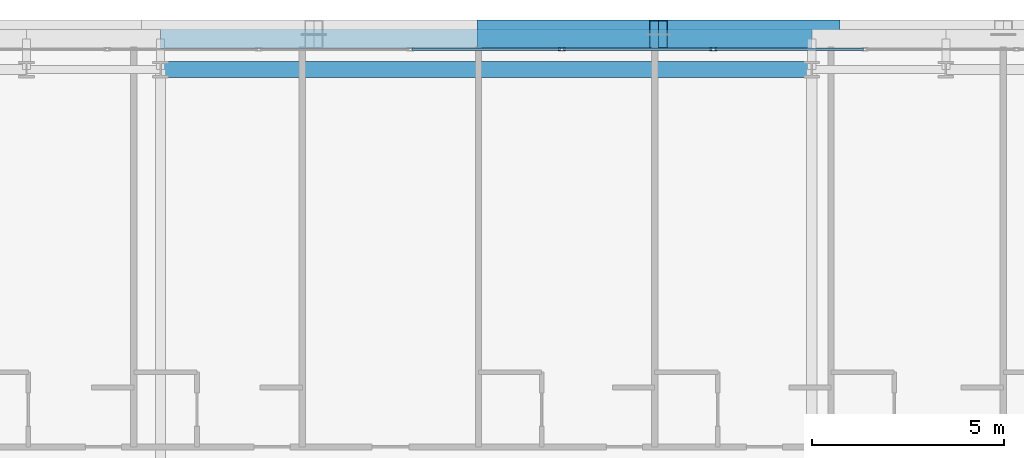
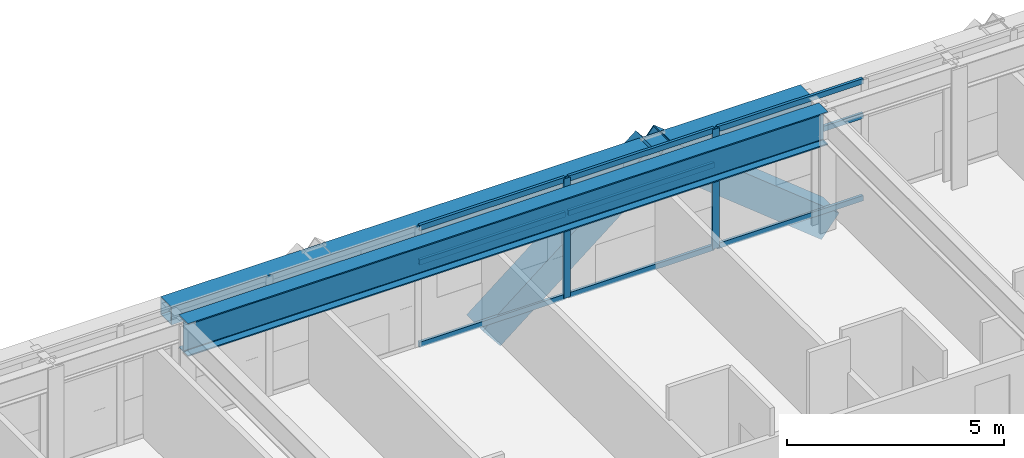
# One storey, part 19 of 36: 13 members, 2 beams, 1 element without a shape of its own.
"""IFC4 building model written with IfcOpenShell, lengths in metres."""

import ifcopenshell
import ifcopenshell.guid

model = None  # the IFC model being written
_history = None  # IfcOwnerHistory: only IFC2X3 demands one
_inside = {}  # id of a spatial element -> (the spatial element, [elements in it])
_under = {}  # id of a project, library or spatial element -> (it, [spatial elements below it])
_declared = {}  # id of a project -> (the project, [libraries it declares])
_typed = {}  # id of a type object -> (the type object, [elements of that type])
_made_of = {}  # id of a material, layer set ... -> (it, [elements and type objects made of it])


def new_model(schema):
    """Start an empty IFC model of exactly this schema.

    Asked for "IFC4X3", IfcOpenShell would pick the latest addendum, in which some entities
    have other attributes; the version numbers below select the first issue.
    IFC2X3 requires an IfcOwnerHistory on every rooted entity: one is made here for all.
    """
    global model, _history
    if schema == "IFC4X3":
        model = ifcopenshell.file(schema_version=(4, 3, 0, 0))
    else:
        model = ifcopenshell.file(schema=schema)
    _inside.clear()
    _under.clear()
    _declared.clear()
    _typed.clear()
    _made_of.clear()
    _history = None
    if model.schema == "IFC2X3":
        org = make("IfcOrganization", Name="unknown")
        user = make(
            "IfcPersonAndOrganization",
            ThePerson=make("IfcPerson", FamilyName="unknown"),
            TheOrganization=org,
        )
        app = make(
            "IfcApplication",
            ApplicationDeveloper=org,
            Version="unknown",
            ApplicationFullName="unknown",
            ApplicationIdentifier="unknown",
        )
        _history = make(
            "IfcOwnerHistory",
            OwningUser=user,
            OwningApplication=app,
            ChangeAction="ADDED",
            CreationDate=0,
        )
    return model


def make(cls, **values):
    """One entity of the class cls with the attributes given. An attribute that is None is left unset."""
    return model.create_entity(
        cls, **{name: value for name, value in values.items() if value is not None}
    )


def rooted(cls, **values):
    """An entity with a GlobalId (a new one), such as an element, a storey or a relation."""
    return make(cls, GlobalId=ifcopenshell.guid.new(), OwnerHistory=_history, **values)


def si_unit(unit_type, name, prefix=None):
    """IfcSIUnit, for example si_unit("LENGTHUNIT", "METRE", prefix="MILLI")."""
    return make("IfcSIUnit", UnitType=unit_type, Prefix=prefix, Name=name)


def assignment(units):
    """IfcUnitAssignment: the units of a project."""
    return None if units is None else make("IfcUnitAssignment", Units=units)


def point(xyz):
    """IfcCartesianPoint."""
    return None if xyz is None else make("IfcCartesianPoint", Coordinates=xyz)


def direction(xyz):
    """IfcDirection."""
    return None if xyz is None else make("IfcDirection", DirectionRatios=xyz)


def frame(location, z_axis=None, x_axis=None):
    """IfcAxis2Placement3D, a coordinate frame: its origin and axes. An axis left out is left unset."""
    return make(
        "IfcAxis2Placement3D",
        Location=point(location),
        Axis=direction(z_axis),
        RefDirection=direction(x_axis),
    )


def frame_2d(location, x_axis=None):
    """IfcAxis2Placement2D, a coordinate frame in the plane: its origin and x axis."""
    return make(
        "IfcAxis2Placement2D", Location=point(location), RefDirection=direction(x_axis)
    )


def origin():
    """The frame at (0, 0, 0) with its axes left unset."""
    return frame((0.0, 0.0, 0.0))


def origin_2d():
    """The frame at (0, 0) in the plane with its x axis left unset."""
    return frame_2d((0.0, 0.0))


def place(relative_to, where):
    """IfcLocalPlacement: puts the frame where relative to a parent placement (None: the world)."""
    return make(
        "IfcLocalPlacement", PlacementRelTo=relative_to, RelativePlacement=where
    )


def context(
    kind, dimensions, precision=None, world=None, true_north=None, identifier=None
):
    """IfcGeometricRepresentationContext, for example the 3D "Model" context."""
    return make(
        "IfcGeometricRepresentationContext",
        ContextIdentifier=identifier,
        ContextType=kind,
        CoordinateSpaceDimension=dimensions,
        Precision=precision,
        WorldCoordinateSystem=world,
        TrueNorth=true_north,
    )


def subcontext(parent, identifier, kind, view, scale=None):
    """IfcGeometricRepresentationSubContext, for example "Body" below "Model"."""
    return make(
        "IfcGeometricRepresentationSubContext",
        ContextIdentifier=identifier,
        ContextType=kind,
        ParentContext=parent,
        TargetScale=scale,
        TargetView=view,
    )


def project(units=None, contexts=None):
    """IfcProject with its units and contexts."""
    return rooted(
        "IfcProject",
        Name="project",
        RepresentationContexts=contexts,
        UnitsInContext=assignment(units),
    )


def spatial(cls, under=None, at=None, **own):
    """A site, building, storey or space (cls), placed at a placement, below another one or the project."""
    s = rooted(cls, ObjectPlacement=at, **own)
    if under is not None:
        _under.setdefault(under.id(), (under, []))[1].append(s)
    return s


def profile(cls, at=None, kind="AREA", **sizes):
    """A parametric profile (cls). Its sizes go by their IFC names, for example OverallWidth=200.0."""
    return make(cls, ProfileType=kind, Position=at, **sizes)


def hollow_rectangle(**sizes):
    """IfcRectangleHollowProfileDef."""
    return profile("IfcRectangleHollowProfileDef", **sizes)


def i_section(**sizes):
    """IfcIShapeProfileDef."""
    return profile("IfcIShapeProfileDef", **sizes)


def extrude(swept, where, along, depth):
    """IfcExtrudedAreaSolid: the profile swept, set in the frame where, extruded along a direction by depth."""
    return make(
        "IfcExtrudedAreaSolid",
        SweptArea=swept,
        Position=where,
        ExtrudedDirection=direction(along),
        Depth=depth,
    )


def shape(context_of_items, identifier, shape_type, items):
    """IfcShapeRepresentation: the items that make up one representation, for example the "Body"."""
    return make(
        "IfcShapeRepresentation",
        ContextOfItems=context_of_items,
        RepresentationIdentifier=identifier,
        RepresentationType=shape_type,
        Items=items,
    )


def source(mapping_origin, context_of_items, identifier, shape_type, items):
    """IfcRepresentationMap: a shape defined once, which mapped items show again and again."""
    return make(
        "IfcRepresentationMap",
        MappingOrigin=mapping_origin,
        MappedRepresentation=shape(context_of_items, identifier, shape_type, items),
    )


def transform(
    local_origin,
    x_axis=None,
    y_axis=None,
    z_axis=None,
    scale=None,
    scale2=None,
    scale3=None,
    uniform=True,
):
    """IfcCartesianTransformationOperator3D, or its non-uniform kind. x_axis, y_axis, z_axis: its Axis1, 2, 3."""
    if uniform:
        return make(
            "IfcCartesianTransformationOperator3D",
            Axis1=direction(x_axis),
            Axis2=direction(y_axis),
            LocalOrigin=point(local_origin),
            Scale=scale,
            Axis3=direction(z_axis),
        )
    return make(
        "IfcCartesianTransformationOperator3DnonUniform",
        Axis1=direction(x_axis),
        Axis2=direction(y_axis),
        LocalOrigin=point(local_origin),
        Scale=scale,
        Axis3=direction(z_axis),
        Scale2=scale2,
        Scale3=scale3,
    )


def mapped(mapping_source, mapping_target):
    """IfcMappedItem: shows the shape of a source again, moved by a transform."""
    return make(
        "IfcMappedItem", MappingSource=mapping_source, MappingTarget=mapping_target
    )


def material(Name=None, Category=None):
    """IfcMaterial."""
    return make("IfcMaterial", Name=Name, Category=Category)


def layer(
    of_material, thickness, ventilated=None, Name=None, Category=None, Priority=None
):
    """IfcMaterialLayer: one layer of a wall or slab, of a material (None: an air gap)."""
    return make(
        "IfcMaterialLayer",
        Material=of_material,
        LayerThickness=thickness,
        IsVentilated=ventilated,
        Name=Name,
        Category=Category,
        Priority=Priority,
    )


def layer_set(layers, Name=None):
    """IfcMaterialLayerSet."""
    return make("IfcMaterialLayerSet", MaterialLayers=layers, LayerSetName=Name)


def material_profile(
    of_material, cross_section, Name=None, Category=None, Priority=None
):
    """IfcMaterialProfile: a cross section and its material."""
    return make(
        "IfcMaterialProfile",
        Name=Name,
        Material=of_material,
        Profile=cross_section,
        Priority=Priority,
        Category=Category,
    )


def profile_set(profiles, Name=None, composite=None):
    """IfcMaterialProfileSet."""
    return make(
        "IfcMaterialProfileSet",
        Name=Name,
        MaterialProfiles=profiles,
        CompositeProfile=composite,
    )


def made_of(thing, what):
    """Note that an element or type object is made of a material, layer set ...; save() writes the relation."""
    if what is not None:
        _made_of.setdefault(what.id(), (what, []))[1].append(thing)
    return thing


def type_object(cls, material=None, **own):
    """A type object (cls), such as IfcWallType, which elements share."""
    return made_of(rooted(cls, **own), material)


def element(
    cls,
    number,
    at=None,
    inside=None,
    cuts=None,
    type_object=None,
    material=None,
    context=None,
    identifier="Body",
    shape_type=None,
    held_by="IfcProductDefinitionShape",
    body=None,
    shapes=None,
    **own,
):
    """One element of the class cls, such as IfcWall. Its Tag is "e" and its number.

    at: its placement. inside: the storey or other place that contains it. cuts: it is an
    opening in that element (IfcRelVoidsElement). A single representation is given by context,
    identifier, shape_type and body (its items); several are given by shapes. held_by: the class
    of the entity that holds the representations. save() writes the other relations.
    """
    e = rooted(cls, Tag="e%d" % number, ObjectPlacement=at, **own)
    if body is not None:
        shapes = [shape(context, identifier, shape_type, body)]
    if shapes is not None:
        e.Representation = make(held_by, Representations=shapes)
    if inside is not None:
        _inside.setdefault(inside.id(), (inside, []))[1].append(e)
    if cuts is not None:
        rooted(
            "IfcRelVoidsElement", RelatingBuildingElement=cuts, RelatedOpeningElement=e
        )
    if type_object is not None:
        _typed.setdefault(type_object.id(), (type_object, []))[1].append(e)
    return made_of(e, material)


def aggregate(whole, parts):
    """IfcRelAggregates: a whole, such as a stair, and the parts it consists of."""
    return rooted("IfcRelAggregates", RelatingObject=whole, RelatedObjects=parts)


def save(model, path):
    """Write the relations noted so far, then the file.

    IfcRelAggregates (storeys below a building ...), IfcRelContainedInSpatialStructure (elements
    in a storey), IfcRelDefinesByType, IfcRelAssociatesMaterial and IfcRelDeclares: one each for
    every whole, place, type object, material and project.
    """
    for whole, parts in _under.values():
        aggregate(whole, parts)
    for where, things in _inside.values():
        rooted(
            "IfcRelContainedInSpatialStructure",
            RelatedElements=things,
            RelatingStructure=where,
        )
    for kind, things in _typed.values():
        rooted("IfcRelDefinesByType", RelatedObjects=things, RelatingType=kind)
    for what, things in _made_of.values():
        rooted("IfcRelAssociatesMaterial", RelatedObjects=things, RelatingMaterial=what)
    for by, libraries in _declared.values():
        rooted("IfcRelDeclares", RelatingContext=by, RelatedDefinitions=libraries)
    model.write(path)


model = new_model("IFC4")

# Units and contexts
model_context = context("Model", 3, precision=1e-05, world=origin(), true_north=direction((0.0, 1.0)))
body_context = subcontext(model_context, "Body", "Model", "MODEL_VIEW")
ifc_project = project(units=[si_unit("LENGTHUNIT", "METRE"), si_unit("AREAUNIT", "SQUARE_METRE"), si_unit("VOLUMEUNIT", "CUBIC_METRE"), si_unit("PLANEANGLEUNIT", "RADIAN"), si_unit("MASSUNIT", "GRAM", prefix="KILO")], contexts=[model_context])

# Site, building, storey
site_placement = place(None, origin())
site = spatial("IfcSite", under=ifc_project, at=site_placement, CompositionType="ELEMENT")
building_placement = place(site_placement, origin())
building = spatial("IfcBuilding", under=site, at=building_placement, Name="Ocotamira Hotel", CompositionType="ELEMENT")
storey_placement = place(building_placement, frame((0.0, 0.0, 133.199951171875)))
storey = spatial("IfcBuildingStorey", under=building, at=storey_placement, Name="L33", CompositionType="ELEMENT", Elevation=133.199951171875)

# Beams
ifc_material_1 = material(Name="Steel ASTM A992 Grade 50", Category="steel")
ifc_material_profile_1 = material_profile(ifc_material_1, i_section(OverallWidth=0.41796875, OverallDepth=0.927001953125, WebThickness=0.019287109375, FlangeThickness=0.031982421875, FilletRadius=0.02392578125, at=origin_2d()), Name="W36X231")
ifc_profile_set_1 = profile_set([ifc_material_profile_1], Name="Steel ASTM A992 Grade 50")
beam_type_1 = type_object("IfcBeamType", Name="BM-GIRD-W36X231", PredefinedType="BEAM", material=ifc_profile_set_1)
shared_shape_1 = source(origin(), body_context, "Body", "SweptSolid", [
    extrude(i_section(OverallWidth=0.41796875, OverallDepth=0.927001953125, WebThickness=0.019287109375, FlangeThickness=0.031982421875, FilletRadius=0.02392578125, at=origin_2d()), origin(), (0.0, 0.0, 1.0), 17.0),
])
beam_1_placement = place(storey_placement, frame((23.5, 49.050048828125, 2.896484375), z_axis=(1.0, 0.0, 0.0), x_axis=(0.0, 1.0, 0.0)))
element("IfcBeam", 1, at=beam_1_placement, inside=storey, type_object=beam_type_1, Name="L33 Girder Y49.05 X23.5-40.5", PredefinedType="BEAM", context=body_context, shape_type="MappedRepresentation", body=[
    mapped(shared_shape_1, transform((0.0, 0.0, 0.0), scale=1.0)),
])
ifc_material_2 = material(Name="Steel ASTM A500 Grade C", Category="steel")
ifc_material_profile_2 = material_profile(ifc_material_2, hollow_rectangle(XDim=0.5, YDim=0.5, WallThickness=0.02001953125, at=origin_2d()), Name="HSS500X500X20")
ifc_profile_set_2 = profile_set([ifc_material_profile_2], Name="Steel ASTM A500 Grade C")
beam_type_2 = type_object("IfcBeamType", Name="BM-SPAN-HSS500", PredefinedType="USERDEFINED", material=ifc_profile_set_2)
shared_shape_2 = source(origin(), body_context, "Body", "SweptSolid", [
    extrude(hollow_rectangle(XDim=0.5, YDim=0.5, WallThickness=0.02001953125, at=origin_2d()), origin(), (0.0, 0.0, 1.0), 17.0),
])
beam_2_placement = place(storey_placement, frame((23.5, 49.85009765625, 3.110107421875), z_axis=(1.0, 0.0, 0.0), x_axis=(0.0, 1.0, 0.0)))
element("IfcBeam", 2, at=beam_2_placement, inside=storey, type_object=beam_type_2, Name="L33 Edge Spandrel N X23.5-40.5", ObjectType="SPANDREL", PredefinedType="USERDEFINED", context=body_context, shape_type="MappedRepresentation", body=[
    mapped(shared_shape_2, transform((0.0, 0.0, 0.0), scale=1.0)),
])

# Members
ifc_material_3 = material(Name="Pale-metal coated steel ASTM A913 Grade 65", Category="steel")
ifc_material_profile_3 = material_profile(ifc_material_3, hollow_rectangle(XDim=0.75, YDim=0.75, WallThickness=0.028076171875, at=origin_2d()), Name="BOX750X750X28")
ifc_profile_set_3 = profile_set([ifc_material_profile_3], Name="Pale-metal coated steel ASTM A913 Grade 65")
member_type_1 = type_object("IfcMemberType", Name="MEM-EXO-BOX750", PredefinedType="BRACE", material=ifc_profile_set_3)
shared_shape_3 = source(origin(), body_context, "Body", "SweptSolid", [
    extrude(hollow_rectangle(XDim=0.75, YDim=0.75, WallThickness=0.028076171875, at=origin_2d()), origin(), (0.0, 0.0, 1.0), 5.762939453125),
])
for number, where, z_axis, x_axis, name in (
    (3, (32.0, 49.969970703125, -0.489990234375), (0.780860543151, 0.0, 0.624705380279), (0.0, 1.0, 0.0), "L33 Exoskeleton Diagrid N2.1"),
    (4, (41.0, 49.969970703125, -0.489990234375), (-0.780860543151, 0.0, 0.624705380279), (0.0, -1.0, 0.0), "L33 Exoskeleton Diagrid N2.2"),
):
    element("IfcMember", number, at=place(storey_placement, frame(where, z_axis=z_axis, x_axis=x_axis)), inside=storey, type_object=member_type_1, Name=name, PredefinedType="BRACE", context=body_context, shape_type="MappedRepresentation", body=[
        mapped(shared_shape_3, transform((0.0, 0.0, 0.0), scale=1.0)),
    ])

# Curtain wall, members
ifc_material_4 = material(Name="Anodised pale-metal aluminium and solar glass", Category="aluminium")
ifc_layer = layer(ifc_material_4, 0.179931640625)
ifc_layer_set = layer_set([ifc_layer], Name="Anodised pale-metal aluminium and solar glass")
curtain_wall_type = type_object("IfcCurtainWallType", Name="CW-SYS3-Z2", PredefinedType="NOTDEFINED", material=ifc_layer_set)
curtain_wall_placement = place(storey_placement, origin())
curtain_wall = element("IfcCurtainWall", 5, at=curtain_wall_placement, inside=storey, type_object=curtain_wall_type, Name="L33 Curtain Wall CW-3 CW-L33-N", PredefinedType="NOTDEFINED")
ifc_material_5 = material(Name="Anodised pale-metal aluminium 6063-T6", Category="aluminium")
ifc_material_profile_4 = material_profile(ifc_material_5, hollow_rectangle(XDim=0.074951171875, YDim=0.14990234375, WallThickness=0.006103515625, at=origin_2d()), Name="HSS150X75X6")
ifc_profile_set_4 = profile_set([ifc_material_profile_4], Name="Anodised pale-metal aluminium 6063-T6")
member_type_2 = type_object("IfcMemberType", Name="CWT-150X75", PredefinedType="USERDEFINED", material=ifc_profile_set_4)
shared_shape_4 = source(origin(), body_context, "Body", "SweptSolid", [
    extrude(hollow_rectangle(XDim=0.074951171875, YDim=0.14990234375, WallThickness=0.006103515625, at=origin_2d()), origin(), (0.0, 0.0, 1.0), 3.87548828125),
])
member_1_placement = place(storey_placement, frame((30.062255859375, 49.580078125, 0.03759765625), z_axis=(1.0, 0.0, 0.0), x_axis=(0.0, 1.0, 0.0)))
member_1 = element("IfcMember", 6, at=member_1_placement, type_object=member_type_2, Name="CW-3 transom 5.1", ObjectType="TRANSOM", PredefinedType="USERDEFINED", context=body_context, shape_type="MappedRepresentation", body=[
    mapped(shared_shape_4, transform((0.0, 0.0, 0.0), scale=1.0)),
])
member_2_placement = place(storey_placement, frame((30.062255859375, 49.580078125, 2.35009765625), z_axis=(1.0, 0.0, 0.0), x_axis=(0.0, 1.0, 0.0)))
member_2 = element("IfcMember", 7, at=member_2_placement, type_object=member_type_2, Name="CW-3 transom 5.2", ObjectType="TRANSOM", PredefinedType="USERDEFINED", context=body_context, shape_type="MappedRepresentation", body=[
    mapped(shared_shape_4, transform((0.0, 0.0, 0.0), scale=1.0)),
])
member_3_placement = place(storey_placement, frame((30.062255859375, 49.580078125, 3.322509765625), z_axis=(1.0, 0.0, 0.0), x_axis=(0.0, 1.0, 0.0)))
member_3 = element("IfcMember", 8, at=member_3_placement, type_object=member_type_2, Name="CW-3 transom 5.3", ObjectType="TRANSOM", PredefinedType="USERDEFINED", context=body_context, shape_type="MappedRepresentation", body=[
    mapped(shared_shape_4, transform((0.0, 0.0, 0.0), scale=1.0)),
])
member_4_placement = place(storey_placement, frame((34.017822265625, 49.580078125, 0.03759765625), z_axis=(1.0, 0.0, 0.0), x_axis=(0.0, 1.0, 0.0)))
member_4 = element("IfcMember", 9, at=member_4_placement, type_object=member_type_2, Name="CW-3 transom 6.1", ObjectType="TRANSOM", PredefinedType="USERDEFINED", context=body_context, shape_type="MappedRepresentation", body=[
    mapped(shared_shape_4, transform((0.0, 0.0, 0.0), scale=1.0)),
])
member_5_placement = place(storey_placement, frame((34.017822265625, 49.580078125, 2.35009765625), z_axis=(1.0, 0.0, 0.0), x_axis=(0.0, 1.0, 0.0)))
member_5 = element("IfcMember", 10, at=member_5_placement, type_object=member_type_2, Name="CW-3 transom 6.2", ObjectType="TRANSOM", PredefinedType="USERDEFINED", context=body_context, shape_type="MappedRepresentation", body=[
    mapped(shared_shape_4, transform((0.0, 0.0, 0.0), scale=1.0)),
])
member_6_placement = place(storey_placement, frame((34.017822265625, 49.580078125, 3.322509765625), z_axis=(1.0, 0.0, 0.0), x_axis=(0.0, 1.0, 0.0)))
member_6 = element("IfcMember", 11, at=member_6_placement, type_object=member_type_2, Name="CW-3 transom 6.3", ObjectType="TRANSOM", PredefinedType="USERDEFINED", context=body_context, shape_type="MappedRepresentation", body=[
    mapped(shared_shape_4, transform((0.0, 0.0, 0.0), scale=1.0)),
])
member_7_placement = place(storey_placement, frame((37.973388671875, 49.580078125, 0.03759765625), z_axis=(1.0, 0.0, 0.0), x_axis=(0.0, 1.0, 0.0)))
member_7 = element("IfcMember", 12, at=member_7_placement, type_object=member_type_2, Name="CW-3 transom 7.1", ObjectType="TRANSOM", PredefinedType="USERDEFINED", context=body_context, shape_type="MappedRepresentation", body=[
    mapped(shared_shape_4, transform((0.0, 0.0, 0.0), scale=1.0)),
])
member_8_placement = place(storey_placement, frame((37.973388671875, 49.580078125, 2.35009765625), z_axis=(1.0, 0.0, 0.0), x_axis=(0.0, 1.0, 0.0)))
member_8 = element("IfcMember", 13, at=member_8_placement, type_object=member_type_2, Name="CW-3 transom 7.2", ObjectType="TRANSOM", PredefinedType="USERDEFINED", context=body_context, shape_type="MappedRepresentation", body=[
    mapped(shared_shape_4, transform((0.0, 0.0, 0.0), scale=1.0)),
])
member_9_placement = place(storey_placement, frame((37.973388671875, 49.580078125, 3.322509765625), z_axis=(1.0, 0.0, 0.0), x_axis=(0.0, 1.0, 0.0)))
member_9 = element("IfcMember", 14, at=member_9_placement, type_object=member_type_2, Name="CW-3 transom 7.3", ObjectType="TRANSOM", PredefinedType="USERDEFINED", context=body_context, shape_type="MappedRepresentation", body=[
    mapped(shared_shape_4, transform((0.0, 0.0, 0.0), scale=1.0)),
])
ifc_material_profile_5 = material_profile(ifc_material_5, hollow_rectangle(XDim=0.080078125, YDim=0.179931640625, WallThickness=0.006103515625, at=origin_2d()), Name="HSS180X80X6")
ifc_profile_set_5 = profile_set([ifc_material_profile_5], Name="Anodised pale-metal aluminium 6063-T6")
member_type_3 = type_object("IfcMemberType", Name="CWM-180X75", PredefinedType="MULLION", material=ifc_profile_set_5)
shared_shape_5 = source(origin(), body_context, "Body", "SweptSolid", [
    extrude(hollow_rectangle(XDim=0.080078125, YDim=0.179931640625, WallThickness=0.006103515625, at=origin_2d()), origin(), (0.0, 0.0, 1.0), 3.360107421875),
])
member_10_placement = place(storey_placement, frame((33.977783203125, 49.580078125, 0.0), z_axis=(0.0, 0.0, 1.0), x_axis=(0.0, 1.0, 0.0)))
member_10 = element("IfcMember", 15, at=member_10_placement, type_object=member_type_3, Name="CW-3 mullion 6", PredefinedType="MULLION", context=body_context, shape_type="MappedRepresentation", body=[
    mapped(shared_shape_5, transform((0.0, 0.0, 0.0), scale=1.0)),
])
member_11_placement = place(storey_placement, frame((37.933349609375, 49.580078125, 0.0), z_axis=(0.0, 0.0, 1.0), x_axis=(0.0, 1.0, 0.0)))
member_11 = element("IfcMember", 16, at=member_11_placement, type_object=member_type_3, Name="CW-3 mullion 7", PredefinedType="MULLION", context=body_context, shape_type="MappedRepresentation", body=[
    mapped(shared_shape_5, transform((0.0, 0.0, 0.0), scale=1.0)),
])
aggregate(curtain_wall, [member_10, member_11, member_1, member_2, member_3, member_4, member_5, member_6, member_7, member_8, member_9])

save(model, "model.ifc")
